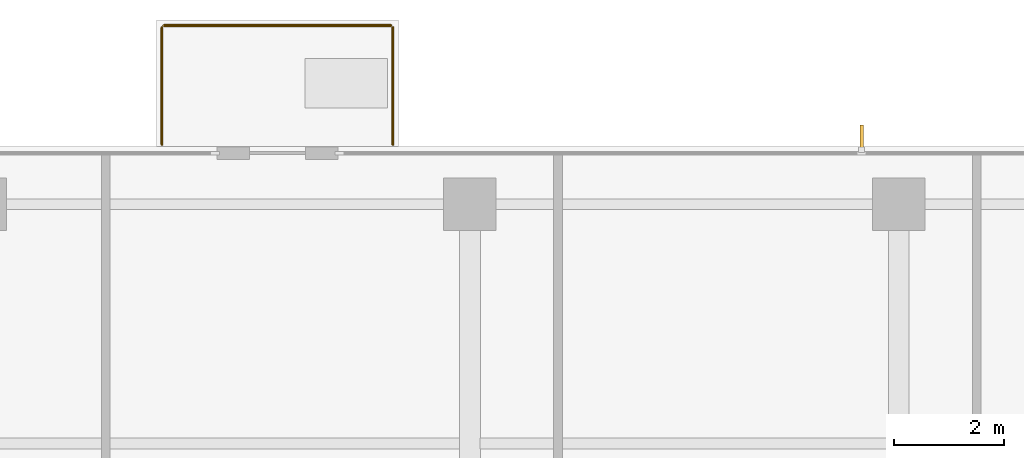
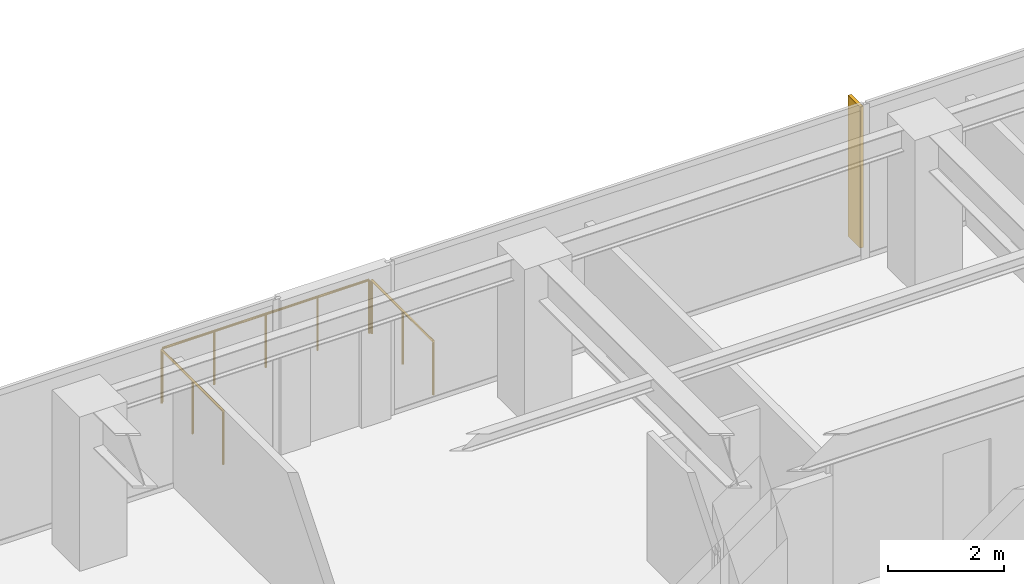
# One storey, part 14 of 14: 3 railings, 1 shading device.
"""IFC4 building model written with IfcOpenShell, lengths in metres."""

from ifc_helpers import new_model, si_unit, direction, frame, origin, origin_2d, place, context, subcontext, project, spatial, polyline, circle, outline, extrude, material, layer, layer_set, type_object, element, save


model = new_model("IFC4")

# Units and contexts
model_context = context("Model", 3, precision=1e-05, world=origin(), true_north=direction((0.0, 1.0)))
body_context = subcontext(model_context, "Body", "Model", "MODEL_VIEW")
ifc_project = project(units=[si_unit("LENGTHUNIT", "METRE"), si_unit("AREAUNIT", "SQUARE_METRE"), si_unit("VOLUMEUNIT", "CUBIC_METRE"), si_unit("PLANEANGLEUNIT", "RADIAN"), si_unit("MASSUNIT", "GRAM", prefix="KILO")], contexts=[model_context])

# Site, building, storey
site_placement = place(None, origin())
site = spatial("IfcSite", under=ifc_project, at=site_placement, CompositionType="ELEMENT")
building_placement = place(site_placement, origin())
building = spatial("IfcBuilding", under=site, at=building_placement, Name="Qalmaran Belvedere Hotel", CompositionType="ELEMENT")
storey_placement = place(building_placement, frame((0.0, 0.0, 207.39990234375)))
storey = spatial("IfcBuildingStorey", under=building, at=storey_placement, Name="L52", CompositionType="ELEMENT", Elevation=207.39990234375)

# Shading device
ifc_material = material(Name="Anodised Bronze Aluminium", Category="aluminium")
ifc_layer = layer(ifc_material, 0.06494140625, Name="Anodised Bronze Aluminium")
ifc_layer_set = layer_set([ifc_layer], Name="Anodised Bronze Aluminium")
shading_device_type = type_object("IfcShadingDeviceType", Name="FIN-BRNZ-420", PredefinedType="USERDEFINED", material=ifc_layer_set)
shading_device_placement = place(storey_placement, frame((0.0, 0.0, 0.16015625)))
element("IfcShadingDevice", 1, at=shading_device_placement, inside=storey, type_object=shading_device_type, Name="L52 Bronze Fin 1", ObjectType="FIN", PredefinedType="USERDEFINED", context=body_context, shape_type="SweptSolid", body=[
    extrude(outline(polyline([(36.357421875, 41.467529296875), (36.357421875, 41.887451171875), (36.29248046875, 41.887451171875), (36.29248046875, 41.467529296875), (36.357421875, 41.467529296875)])), origin(), (0.0, 0.0, 1.0), 2.97998046875),
])

# Railings
railing_type = type_object("IfcRailingType", Name="GRD-BAL-1150", PredefinedType="BALUSTRADE", material=ifc_material)
railing_1_placement = place(storey_placement, frame((23.60009765625, 41.534912109375, 0.0)))
element("IfcRailing", 2, at=railing_1_placement, inside=storey, type_object=railing_type, Name="L52 Guardrail BAL-L52-N-1", PredefinedType="BALUSTRADE", context=body_context, shape_type="SweptSolid", body=[
    extrude(circle(Radius=0.02392578125, at=origin_2d()), frame((0.0, 0.0, 1.1259765625), z_axis=(0.0, 1.0, 0.0), x_axis=(-1.0, 0.0, 0.0)), (0.0, 0.0, 1.0), 2.130126953125),
    extrude(circle(Radius=0.02099609375, at=origin_2d()), origin(), (0.0, 0.0, 1.0), 1.101806640625),
    extrude(circle(Radius=0.02099609375, at=origin_2d()), frame((0.0, 1.06494140625, 0.0)), (0.0, 0.0, 1.0), 1.101806640625),
    extrude(circle(Radius=0.02099609375, at=origin_2d()), frame((0.0, 2.130126953125, 0.0)), (0.0, 0.0, 1.0), 1.101806640625),
])
railing_2_placement = place(storey_placement, frame((23.635009765625, 43.699951171875, 0.0)))
element("IfcRailing", 3, at=railing_2_placement, inside=storey, type_object=railing_type, Name="L52 Guardrail BAL-L52-N-2", PredefinedType="BALUSTRADE", context=body_context, shape_type="SweptSolid", body=[
    extrude(circle(Radius=0.02392578125, at=origin_2d()), frame((0.0, 0.0, 1.1259765625), z_axis=(1.0, 0.0, 0.0), x_axis=(0.0, 1.0, 0.0)), (0.0, 0.0, 1.0), 4.1298828125),
    extrude(circle(Radius=0.02099609375, at=origin_2d()), origin(), (0.0, 0.0, 1.0), 1.101806640625),
    extrude(circle(Radius=0.02099609375, at=origin_2d()), frame((1.032470703125, 0.0, 0.0)), (0.0, 0.0, 1.0), 1.101806640625),
    extrude(circle(Radius=0.02099609375, at=origin_2d()), frame((2.06494140625, 0.0, 0.0)), (0.0, 0.0, 1.0), 1.101806640625),
    extrude(circle(Radius=0.02099609375, at=origin_2d()), frame((3.097412109375, 0.0, 0.0)), (0.0, 0.0, 1.0), 1.101806640625),
    extrude(circle(Radius=0.02099609375, at=origin_2d()), frame((4.1298828125, 0.0, 0.0)), (0.0, 0.0, 1.0), 1.101806640625),
])
railing_3_placement = place(storey_placement, frame((27.800048828125, 43.6650390625, 0.0)))
element("IfcRailing", 4, at=railing_3_placement, inside=storey, type_object=railing_type, Name="L52 Guardrail BAL-L52-N-3", PredefinedType="BALUSTRADE", context=body_context, shape_type="SweptSolid", body=[
    extrude(circle(Radius=0.02392578125, at=origin_2d()), frame((0.0, 0.0, 1.1259765625), z_axis=(0.0, -1.0, 0.0), x_axis=(1.0, 0.0, 0.0)), (0.0, 0.0, 1.0), 2.130126953125),
    extrude(circle(Radius=0.02099609375, at=origin_2d()), origin(), (0.0, 0.0, 1.0), 1.101806640625),
    extrude(circle(Radius=0.02099609375, at=origin_2d()), frame((0.0, -1.06494140625, 0.0)), (0.0, 0.0, 1.0), 1.101806640625),
    extrude(circle(Radius=0.02099609375, at=origin_2d()), frame((0.0, -2.130126953125, 0.0)), (0.0, 0.0, 1.0), 1.101806640625),
])

save(model, "model.ifc")
